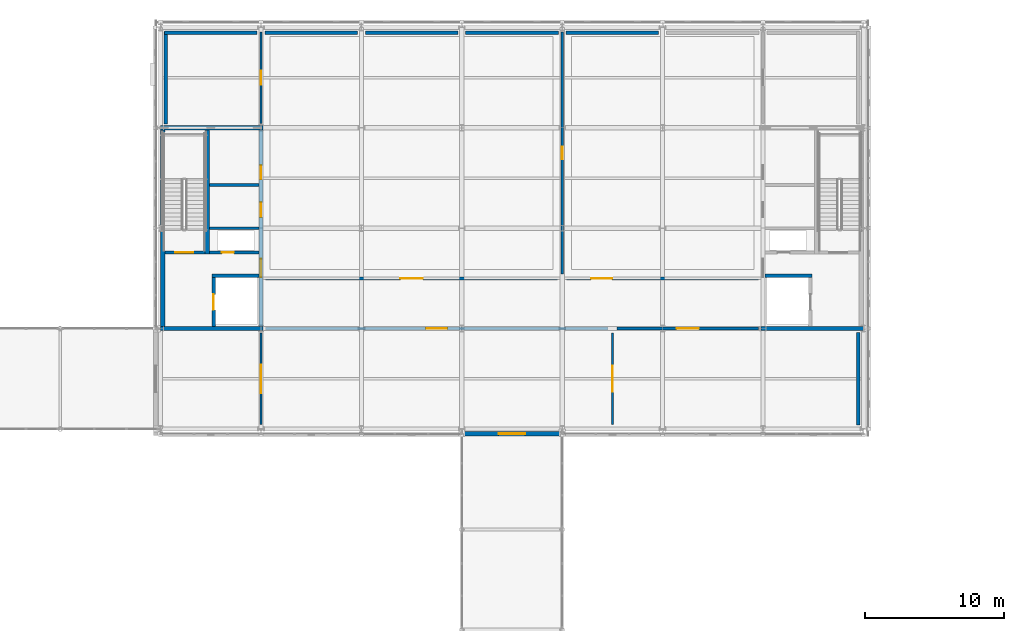
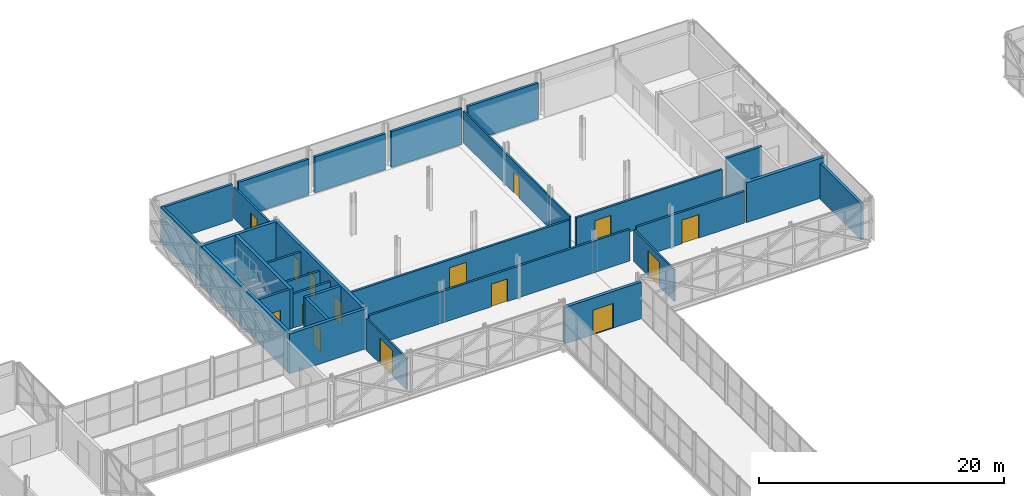
# One storey, part 123 of 146: 29 walls, 15 doors, 15 openings.
"""IFC4 building model written with IfcOpenShell, lengths in metres."""

from ifc_helpers import new_model, si_unit, direction, frame, frame_2d, origin, place, context, subcontext, project, spatial, rectangle, extrude, material, layer, layer_set, type_object, element, fill, save


model = new_model("IFC4")

# Units and contexts
model_context = context("Model", 3, precision=1e-05, world=origin(), true_north=direction((0.0, 1.0)))
body_context = subcontext(model_context, "Body", "Model", "MODEL_VIEW")
ifc_project = project(units=[si_unit("LENGTHUNIT", "METRE"), si_unit("AREAUNIT", "SQUARE_METRE"), si_unit("VOLUMEUNIT", "CUBIC_METRE"), si_unit("PLANEANGLEUNIT", "RADIAN"), si_unit("MASSUNIT", "GRAM", prefix="KILO")], contexts=[model_context])

# Site, building, storey
site_placement = place(None, origin())
site = spatial("IfcSite", under=ifc_project, at=site_placement, CompositionType="ELEMENT")
building_placement = place(site_placement, origin())
building = spatial("IfcBuilding", under=site, at=building_placement, Name="Zlatovets Crest Museum", CompositionType="ELEMENT")
storey_placement = place(building_placement, frame((0.0, 0.0, 4.5)))
storey = spatial("IfcBuildingStorey", under=building, at=storey_placement, Name="L01", CompositionType="ELEMENT", Elevation=4.5)

# Walls
ifc_material_1 = material(Name="Concrete C35/45", Category="concrete")
ifc_layer_1 = layer(ifc_material_1, 0.300048828125)
ifc_layer_set_1 = layer_set([ifc_layer_1], Name="Concrete C35/45")
wall_type_1 = type_object("IfcWallType", Name="CoreWall_SW01", PredefinedType="SHEAR", material=ifc_layer_set_1)
for number, where, z_axis, x_axis, name in (
    (1, (57.60009765625, 93.60009765625, 0.0), (0.0, 0.0, 1.0), (1.0, 0.0, 0.0), "Core C1 L01 South Shear Wall"),
    (2, (57.60009765625, 108.0, 0.0), (0.0, 0.0, 1.0), (1.0, 0.0, 0.0), "Core C1 L01 North Shear Wall"),
):
    element("IfcWall", number, at=place(storey_placement, frame(where, z_axis=z_axis, x_axis=x_axis)), inside=storey, type_object=wall_type_1, Name=name, PredefinedType="SHEAR", context=body_context, shape_type="SweptSolid", body=[
        extrude(rectangle(XDim=7.349853515625, YDim=0.300048828125, at=frame_2d((3.6748046875, 0.0))), origin(), (0.0, 0.0, 1.0), 3.97998046875),
    ])
wall_1_placement = place(storey_placement, frame((57.75, 93.75, 0.0), z_axis=(0.0, 0.0, 1.0), x_axis=(0.0, 1.0, 0.0)))
element("IfcWall", 3, at=wall_1_placement, inside=storey, type_object=wall_type_1, Name="Core C1 L01 Perimeter Shear Wall", PredefinedType="SHEAR", context=body_context, shape_type="SweptSolid", body=[
    extrude(rectangle(XDim=14.10009765625, YDim=0.300048828125, at=frame_2d((7.050048828125, 0.0))), origin(), (0.0, 0.0, 1.0), 3.97998046875),
])

# Wall, openings, doors
wall_2_placement = place(storey_placement, frame((64.800048828125, 93.75, 0.0), z_axis=(0.0, 0.0, 1.0), x_axis=(0.0, 1.0, 0.0)))
wall_2 = element("IfcWall", 4, at=wall_2_placement, inside=storey, type_object=wall_type_1, Name="Core C1 L01 Spine Shear Wall", PredefinedType="SHEAR", context=body_context, shape_type="SweptSolid", body=[
    extrude(rectangle(XDim=14.10009765625, YDim=0.300048828125, at=frame_2d((7.050048828125, 0.0))), origin(), (0.0, 0.0, 1.0), 3.97998046875),
])
opening_1_placement = place(wall_2_placement, frame((3.550048828125, 0.0, 0.0)))
opening_1 = element("IfcOpeningElement", 5, at=opening_1_placement, cuts=wall_2, Name="Opening FD-01", PredefinedType="OPENING", context=body_context, shape_type="SweptSolid", body=[
    extrude(rectangle(XDim=1.300048828125, YDim=2.199951171875, at=frame_2d((0.64990234375, 1.10009765625))), frame((0.0, 0.16015625, 0.0), z_axis=(0.0, -1.0, 0.0), x_axis=(1.0, 0.0, 0.0)), (0.0, 0.0, 1.0), 0.320068359375),
])
opening_2_placement = place(wall_2_placement, frame((7.85009765625, 0.0, 0.0)))
opening_2 = element("IfcOpeningElement", 6, at=opening_2_placement, cuts=wall_2, Name="Opening ID-02", PredefinedType="OPENING", context=body_context, shape_type="SweptSolid", body=[
    extrude(rectangle(XDim=1.050048828125, YDim=2.14990234375, at=frame_2d((0.52490234375, 1.074951171875))), frame((0.0, 0.16015625, 0.0), z_axis=(0.0, -1.0, 0.0), x_axis=(1.0, 0.0, 0.0)), (0.0, 0.0, 1.0), 0.320068359375),
])
opening_3_placement = place(wall_2_placement, frame((10.550048828125, 0.0, 0.0)))
opening_3 = element("IfcOpeningElement", 7, at=opening_3_placement, cuts=wall_2, Name="Opening ID-01", PredefinedType="OPENING", context=body_context, shape_type="SweptSolid", body=[
    extrude(rectangle(XDim=1.0, YDim=2.14990234375, at=frame_2d((0.5, 1.074951171875))), frame((0.0, 0.16015625, 0.0), z_axis=(0.0, -1.0, 0.0), x_axis=(1.0, 0.0, 0.0)), (0.0, 0.0, 1.0), 0.320068359375),
])
ifc_material_2 = material(Name="Smoke-sealed steel fire door", Category="steel")
door_type_1 = type_object("IfcDoorType", Name="IntDoor_FD-01", OperationType="NOTDEFINED", PredefinedType="DOOR", material=ifc_material_2)
door_1_placement = place(opening_1_placement, origin())
door_1 = element("IfcDoor", 8, at=door_1_placement, inside=storey, type_object=door_type_1, Name="CDOOR-C1-L01-LOB Core C1 L01 Lobby Fire Door", OperationType="SINGLE_SWING_LEFT", OverallHeight=2.199951171875, OverallWidth=1.300048828125, PredefinedType="DOOR", context=body_context, shape_type="SweptSolid", body=[
    extrude(rectangle(XDim=1.300048828125, YDim=2.199951171875, at=frame_2d((0.64990234375, 1.10009765625))), frame((0.0, 0.02490234375, 0.0), z_axis=(0.0, -1.0, 0.0), x_axis=(1.0, 0.0, 0.0)), (0.0, 0.0, 1.0), 0.050048828125),
])
fill(opening_1, door_1)
ifc_material_3 = material(Name="Solid oak museum room door")
door_type_2 = type_object("IfcDoorType", Name="IntDoor_ID-01", OperationType="NOTDEFINED", PredefinedType="DOOR", material=ifc_material_3)
door_2_placement = place(opening_3_placement, origin())
door_2 = element("IfcDoor", 9, at=door_2_placement, inside=storey, type_object=door_type_2, Name="CDOOR-C1-L01-WC Core C1 L01 Public Restroom Door", OperationType="SINGLE_SWING_RIGHT", OverallHeight=2.14990234375, OverallWidth=1.0, PredefinedType="DOOR", context=body_context, shape_type="SweptSolid", body=[
    extrude(rectangle(XDim=1.0, YDim=2.14990234375, at=frame_2d((0.5, 1.074951171875))), frame((0.0, 0.02490234375, 0.0), z_axis=(0.0, -1.0, 0.0), x_axis=(1.0, 0.0, 0.0)), (0.0, 0.0, 1.0), 0.050048828125),
])
fill(opening_3, door_2)
ifc_material_4 = material(Name="Accessible sanitary room door")
door_type_3 = type_object("IfcDoorType", Name="IntDoor_ID-02", OperationType="NOTDEFINED", PredefinedType="DOOR", material=ifc_material_4)
door_3_placement = place(opening_2_placement, origin())
door_3 = element("IfcDoor", 10, at=door_3_placement, inside=storey, type_object=door_type_3, Name="CDOOR-C1-L01-AWC Core C1 L01 Accessible WC Door", OperationType="SINGLE_SWING_LEFT", OverallHeight=2.14990234375, OverallWidth=1.050048828125, PredefinedType="DOOR", context=body_context, shape_type="SweptSolid", body=[
    extrude(rectangle(XDim=1.050048828125, YDim=2.14990234375, at=frame_2d((0.52490234375, 1.074951171875))), frame((0.0, 0.02490234375, 0.0), z_axis=(0.0, -1.0, 0.0), x_axis=(1.0, 0.0, 0.0)), (0.0, 0.0, 1.0), 0.050048828125),
])
fill(opening_2, door_3)

# Walls
wall_3_placement = place(storey_placement, frame((60.949951171875, 98.93994140625, 0.0), z_axis=(0.0, 0.0, 1.0), x_axis=(0.0, 1.0, 0.0)))
element("IfcWall", 11, at=wall_3_placement, inside=storey, type_object=wall_type_1, Name="Core C1 L01 Stair Divider Wall", PredefinedType="SHEAR", context=body_context, shape_type="SweptSolid", body=[
    extrude(rectangle(XDim=8.91015625, YDim=0.300048828125, at=frame_2d((4.455078125, 0.0))), origin(), (0.0, 0.0, 1.0), 3.97998046875),
])
wall_4_placement = place(storey_placement, frame((100.64990234375, 93.60009765625, 0.0), z_axis=(0.0, 0.0, 1.0), x_axis=(1.0, 0.0, 0.0)))
element("IfcWall", 12, at=wall_4_placement, inside=storey, type_object=wall_type_1, Name="Core C6 L01 South Shear Wall", PredefinedType="SHEAR", context=body_context, shape_type="SweptSolid", body=[
    extrude(rectangle(XDim=7.35009765625, YDim=0.300048828125, at=frame_2d((3.675048828125, 0.0))), origin(), (0.0, 0.0, 1.0), 3.97998046875),
])

# Wall, opening, door
ifc_layer_2 = layer(ifc_material_1, 0.25)
ifc_layer_set_2 = layer_set([ifc_layer_2], Name="Concrete C35/45")
wall_type_2 = type_object("IfcWallType", Name="CoreWall_SW02", PredefinedType="SHEAR", material=ifc_layer_set_2)
wall_5_placement = place(storey_placement, frame((61.39990234375, 93.75, 0.0), z_axis=(0.0, 0.0, 1.0), x_axis=(0.0, 1.0, 0.0)))
wall_5 = element("IfcWall", 13, at=wall_5_placement, inside=storey, type_object=wall_type_2, Name="Core C1 L01 Lift Shaft Wall", PredefinedType="SHEAR", context=body_context, shape_type="SweptSolid", body=[
    extrude(rectangle(XDim=3.52490234375, YDim=0.25, at=frame_2d((1.762451171875, 0.0))), origin(), (0.0, 0.0, 1.0), 3.97998046875),
])
opening_4_placement = place(wall_5_placement, frame((1.199951171875, 0.0, 0.0)))
opening_4 = element("IfcOpeningElement", 14, at=opening_4_placement, cuts=wall_5, Name="Opening LD-01", PredefinedType="OPENING", context=body_context, shape_type="SweptSolid", body=[
    extrude(rectangle(XDim=1.10009765625, YDim=2.14990234375, at=frame_2d((0.550048828125, 1.074951171875))), frame((0.0, 0.135009765625, 0.0), z_axis=(0.0, -1.0, 0.0), x_axis=(1.0, 0.0, 0.0)), (0.0, 0.0, 1.0), 0.27001953125),
])
ifc_material_5 = material(Name="Stainless-bronze sliding lift landing door")
door_type_4 = type_object("IfcDoorType", Name="IntDoor_LD-01", OperationType="SLIDING_TO_LEFT", PredefinedType="DOOR", material=ifc_material_5)
door_4_placement = place(opening_4_placement, origin())
door_4 = element("IfcDoor", 15, at=door_4_placement, inside=storey, type_object=door_type_4, Name="LDOOR-FL1-L01 Lift FL1 L01 Sliding Landing Door", OperationType="SLIDING_TO_LEFT", OverallHeight=2.14990234375, OverallWidth=1.10009765625, PredefinedType="DOOR", context=body_context, shape_type="SweptSolid", body=[
    extrude(rectangle(XDim=1.10009765625, YDim=2.14990234375, at=frame_2d((0.550048828125, 1.074951171875))), frame((0.0, 0.02490234375, 0.0), z_axis=(0.0, -1.0, 0.0), x_axis=(1.0, 0.0, 0.0)), (0.0, 0.0, 1.0), 0.050048828125),
])
fill(opening_4, door_4)

wall_6_placement = place(storey_placement, frame((57.89990234375, 99.050048828125, 0.0), z_axis=(0.0, 0.0, 1.0), x_axis=(1.0, 0.0, 0.0)))
wall_6 = element("IfcWall", 16, at=wall_6_placement, inside=storey, type_object=wall_type_2, Name="Core C1 L01 Stairwell Fire Wall", PredefinedType="SHEAR", context=body_context, shape_type="SweptSolid", body=[
    extrude(rectangle(XDim=2.900146484375, YDim=0.219970703125, at=frame_2d((1.4501953125, 0.0))), origin(), (0.0, 0.0, 1.0), 3.97998046875),
])
opening_5_placement = place(wall_6_placement, frame((0.75, 0.0, 0.0)))
opening_5 = element("IfcOpeningElement", 17, at=opening_5_placement, cuts=wall_6, Name="Opening FD-01", PredefinedType="OPENING", context=body_context, shape_type="SweptSolid", body=[
    extrude(rectangle(XDim=1.300048828125, YDim=2.199951171875, at=frame_2d((0.64990234375, 1.10009765625))), frame((0.0, 0.1201171875, 0.0), z_axis=(0.0, -1.0, 0.0), x_axis=(1.0, 0.0, 0.0)), (0.0, 0.0, 1.0), 0.239990234375),
])
door_5_placement = place(opening_5_placement, origin())
door_5 = element("IfcDoor", 18, at=door_5_placement, inside=storey, type_object=door_type_1, Name="SDOOR-ST1-L01 Stair ST1 L01 Fire Door", OperationType="SINGLE_SWING_LEFT", OverallHeight=2.199951171875, OverallWidth=1.300048828125, PredefinedType="DOOR", context=body_context, shape_type="SweptSolid", body=[
    extrude(rectangle(XDim=1.300048828125, YDim=2.199951171875, at=frame_2d((0.64990234375, 1.10009765625))), frame((0.0, 0.02490234375, 0.0), z_axis=(0.0, -1.0, 0.0), x_axis=(1.0, 0.0, 0.0)), (0.0, 0.0, 1.0), 0.050048828125),
])
fill(opening_5, door_5)

# Walls
for number, where, z_axis, x_axis, name in (
    (19, (61.27490234375, 97.39990234375, 0.0), (0.0, 0.0, 1.0), (1.0, 0.0, 0.0), "Core C1 L01 Lift Shaft North Shear Wall"),
    (20, (100.949951171875, 97.39990234375, 0.0), (0.0, 0.0, 1.0), (1.0, 0.0, 0.0), "Core C6 L01 Lift Shaft North Shear Wall"),
):
    element("IfcWall", number, at=place(storey_placement, frame(where, z_axis=z_axis, x_axis=x_axis)), inside=storey, type_object=wall_type_2, Name=name, PredefinedType="SHEAR", context=body_context, shape_type="SweptSolid", body=[
        extrude(rectangle(XDim=3.375, YDim=0.25, at=frame_2d((1.6875, 0.0))), origin(), (0.0, 0.0, 1.0), 3.97998046875),
    ])

# Wall, opening, door
ifc_material_6 = material(Name="Insulated gallery conservation liner wall", Category="concrete")
ifc_layer_3 = layer(ifc_material_6, 0.300048828125)
ifc_layer_set_3 = layer_set([ifc_layer_3], Name="Insulated gallery conservation liner wall")
wall_type_3 = type_object("IfcWallType", Name="ExtWall_EW-02", PredefinedType="STANDARD", material=ifc_layer_set_3)
wall_7_placement = place(storey_placement, frame((79.199951171875, 86.06005859375, 0.0), z_axis=(0.0, 0.0, 1.0), x_axis=(1.0, 0.0, 0.0)))
wall_7 = element("IfcWall", 21, at=wall_7_placement, inside=storey, type_object=wall_type_3, Name="V1 L01 Bridge Portal Wall", PredefinedType="STANDARD", context=body_context, shape_type="SweptSolid", body=[
    extrude(rectangle(XDim=7.199951171875, YDim=0.300048828125, at=frame_2d((3.60009765625, 0.0))), origin(), (0.0, 0.0, 1.0), 3.64990234375),
])
opening_6_placement = place(wall_7_placement, frame((2.64990234375, 0.0, 0.0)))
opening_6 = element("IfcOpeningElement", 22, at=opening_6_placement, cuts=wall_7, Name="Opening ED-02", PredefinedType="OPENING", context=body_context, shape_type="SweptSolid", body=[
    extrude(rectangle(XDim=1.89990234375, YDim=2.449951171875, at=frame_2d((0.949951171875, 1.22509765625))), frame((0.0, 0.16015625, 0.0), z_axis=(0.0, -1.0, 0.0), x_axis=(1.0, 0.0, 0.0)), (0.0, 0.0, 1.0), 0.320068359375),
])
ifc_material_7 = material(Name="Bronze-clad insulated steel door", Category="steel")
door_type_5 = type_object("IfcDoorType", Name="ExtDoor_ED-02", OperationType="NOTDEFINED", PredefinedType="DOOR", material=ifc_material_7)
door_6_placement = place(opening_6_placement, origin())
door_6 = element("IfcDoor", 23, at=door_6_placement, inside=storey, type_object=door_type_5, Name="ED-V1-L01-BR006 V1 L01 Bridge Link Portal Door", OperationType="DOUBLE_DOOR_SINGLE_SWING", OverallHeight=2.449951171875, OverallWidth=1.89990234375, PredefinedType="DOOR", context=body_context, shape_type="SweptSolid", body=[
    extrude(rectangle(XDim=1.89990234375, YDim=2.449951171875, at=frame_2d((0.949951171875, 1.22509765625))), frame((0.0, 0.02490234375, 0.0), z_axis=(0.0, -1.0, 0.0), x_axis=(1.0, 0.0, 0.0)), (0.0, 0.0, 1.0), 0.050048828125),
])
fill(opening_6, door_6)

# Walls
for number, where, z_axis, x_axis, name in (
    (24, (107.6201171875, 86.679931640625, 0.0), (0.0, 0.0, 1.0), (0.0, 1.0, 0.0), "V1 L01 Interior Conservation Gallery Liner Wall"),
    (25, (93.320068359375, 114.820068359375, 0.0), (0.0, 0.0, 1.0), (-1.0, 0.0, 0.0), "V1 L01 Interior Conservation Gallery Liner Wall"),
    (26, (86.1201171875, 114.820068359375, 0.0), (0.0, 0.0, 1.0), (-1.0, 0.0, 0.0), "V1 L01 Interior Conservation Gallery Liner Wall"),
):
    element("IfcWall", number, at=place(storey_placement, frame(where, z_axis=z_axis, x_axis=x_axis)), inside=storey, type_object=wall_type_3, Name=name, PredefinedType="STANDARD", context=body_context, shape_type="SweptSolid", body=[
        extrude(rectangle(XDim=6.64013671875, YDim=0.239990234375, at=frame_2d((3.320068359375, 0.0))), origin(), (0.0, 0.0, 1.0), 3.580078125),
    ])
for number, where, z_axis, x_axis, name in (
    (27, (78.919921875, 114.820068359375, 0.0), (0.0, 0.0, 1.0), (-1.0, 0.0, 0.0), "V1 L01 Interior Conservation Gallery Liner Wall"),
    (28, (71.719970703125, 114.820068359375, 0.0), (0.0, 0.0, 1.0), (-1.0, 0.0, 0.0), "V1 L01 Interior Conservation Gallery Liner Wall"),
):
    element("IfcWall", number, at=place(storey_placement, frame(where, z_axis=z_axis, x_axis=x_axis)), inside=storey, type_object=wall_type_3, Name=name, PredefinedType="STANDARD", context=body_context, shape_type="SweptSolid", body=[
        extrude(rectangle(XDim=6.639892578125, YDim=0.239990234375, at=frame_2d((3.31982421875, 0.0))), origin(), (0.0, 0.0, 1.0), 3.580078125),
    ])
wall_8_placement = place(storey_placement, frame((64.52001953125, 114.820068359375, 0.0), z_axis=(0.0, 0.0, 1.0), x_axis=(-1.0, 0.0, 0.0)))
element("IfcWall", 29, at=wall_8_placement, inside=storey, type_object=wall_type_3, Name="V1 L01 Interior Conservation Gallery Liner Wall", PredefinedType="STANDARD", context=body_context, shape_type="SweptSolid", body=[
    extrude(rectangle(XDim=6.64013671875, YDim=0.239990234375, at=frame_2d((3.320068359375, 0.0))), origin(), (0.0, 0.0, 1.0), 3.580078125),
])
wall_9_placement = place(storey_placement, frame((57.97998046875, 114.919921875, 0.0), z_axis=(0.0, 0.0, 1.0), x_axis=(0.0, -1.0, 0.0)))
element("IfcWall", 30, at=wall_9_placement, inside=storey, type_object=wall_type_3, Name="V1 L01 Interior Conservation Gallery Liner Wall", PredefinedType="STANDARD", context=body_context, shape_type="SweptSolid", body=[
    extrude(rectangle(XDim=6.639892578125, YDim=0.239990234375, at=frame_2d((3.31982421875, 0.0))), origin(), (0.0, 0.0, 1.0), 3.580078125),
])

# Wall, opening, door
ifc_material_8 = material(Name="Gypsum-encased fire compartment partition")
ifc_layer_4 = layer(ifc_material_8, 0.199951171875)
ifc_layer_set_4 = layer_set([ifc_layer_4], Name="Gypsum-encased fire compartment partition")
wall_type_4 = type_object("IfcWallType", Name="PartWall_PT-01", PredefinedType="PARTITIONING", material=ifc_layer_set_4)
wall_10_placement = place(storey_placement, frame((65.1201171875, 93.60009765625, 0.0), z_axis=(0.0, 0.0, 1.0), x_axis=(1.0, 0.0, 0.0)))
wall_10 = element("IfcWall", 31, at=wall_10_placement, inside=storey, type_object=wall_type_4, Name="V1 L01 Interior Partition PT-01", PredefinedType="PARTITIONING", context=body_context, shape_type="SweptSolid", body=[
    extrude(rectangle(XDim=24.559814453125, YDim=0.199951171875, at=frame_2d((12.27978515625, 0.0))), origin(), (0.0, 0.0, 1.0), 3.14990234375),
])
opening_7_placement = place(wall_10_placement, frame((11.530029296875, 0.0, 0.0)))
opening_7 = element("IfcOpeningElement", 32, at=opening_7_placement, cuts=wall_10, Name="Opening FD-02", PredefinedType="OPENING", context=body_context, shape_type="SweptSolid", body=[
    extrude(rectangle(XDim=1.5, YDim=2.25, at=frame_2d((0.75, 1.125))), frame((0.0, 0.10986328125, 0.0), z_axis=(0.0, -1.0, 0.0), x_axis=(1.0, 0.0, 0.0)), (0.0, 0.0, 1.0), 0.219970703125),
])
ifc_material_9 = material(Name="Double corridor compartment fire door")
door_type_6 = type_object("IfcDoorType", Name="IntDoor_FD-02", OperationType="DOUBLE_DOOR_SINGLE_SWING", PredefinedType="DOOR", material=ifc_material_9)
door_7_placement = place(opening_7_placement, origin())
door_7 = element("IfcDoor", 33, at=door_7_placement, inside=storey, type_object=door_type_6, Name="IDOOR-V1-L01-0096 First Floor Promenade Corridor to Paleontology and Amber Gallery Door", OperationType="DOUBLE_DOOR_SINGLE_SWING", OverallHeight=2.25, OverallWidth=1.5, PredefinedType="DOOR", context=body_context, shape_type="SweptSolid", body=[
    extrude(rectangle(XDim=1.5, YDim=2.25, at=frame_2d((0.75, 1.125))), frame((0.0, 0.02490234375, 0.0), z_axis=(0.0, -1.0, 0.0), x_axis=(1.0, 0.0, 0.0)), (0.0, 0.0, 1.0), 0.050048828125),
])
fill(opening_7, door_7)

wall_11_placement = place(storey_placement, frame((90.320068359375, 93.60009765625, 0.0), z_axis=(0.0, 0.0, 1.0), x_axis=(1.0, 0.0, 0.0)))
wall_11 = element("IfcWall", 34, at=wall_11_placement, inside=storey, type_object=wall_type_4, Name="V1 L01 Interior Partition PT-01", PredefinedType="PARTITIONING", context=body_context, shape_type="SweptSolid", body=[
    extrude(rectangle(XDim=10.159912109375, YDim=0.199951171875, at=frame_2d((5.080078125, 0.0))), origin(), (0.0, 0.0, 1.0), 3.14990234375),
])
opening_8_placement = place(wall_11_placement, frame((4.280029296875, 0.0, 0.0)))
opening_8 = element("IfcOpeningElement", 35, at=opening_8_placement, cuts=wall_11, Name="Opening ID-04", PredefinedType="OPENING", context=body_context, shape_type="SweptSolid", body=[
    extrude(rectangle(XDim=1.60009765625, YDim=2.35009765625, at=frame_2d((0.800048828125, 1.175048828125))), frame((0.0, 0.10986328125, 0.0), z_axis=(0.0, -1.0, 0.0), x_axis=(1.0, 0.0, 0.0)), (0.0, 0.0, 1.0), 0.219970703125),
])
ifc_material_10 = material(Name="Gallery salon double portal door")
door_type_7 = type_object("IfcDoorType", Name="IntDoor_ID-04", OperationType="DOUBLE_DOOR_SINGLE_SWING", PredefinedType="DOOR", material=ifc_material_10)
door_8_placement = place(opening_8_placement, origin())
door_8 = element("IfcDoor", 36, at=door_8_placement, inside=storey, type_object=door_type_7, Name="IDOOR-V1-L01-0097 First Floor Promenade Corridor to Botanical Illustration Cabinet Door", OperationType="DOUBLE_DOOR_SINGLE_SWING", OverallHeight=2.35009765625, OverallWidth=1.60009765625, PredefinedType="DOOR", context=body_context, shape_type="SweptSolid", body=[
    extrude(rectangle(XDim=1.60009765625, YDim=2.35009765625, at=frame_2d((0.800048828125, 1.175048828125))), frame((0.0, 0.02490234375, 0.0), z_axis=(0.0, -1.0, 0.0), x_axis=(1.0, 0.0, 0.0)), (0.0, 0.0, 1.0), 0.050048828125),
])
fill(opening_8, door_8)

wall_12_placement = place(storey_placement, frame((65.1201171875, 97.199951171875, 0.0), z_axis=(0.0, 0.0, 1.0), x_axis=(1.0, 0.0, 0.0)))
wall_12 = element("IfcWall", 37, at=wall_12_placement, inside=storey, type_object=wall_type_4, Name="V1 L01 Interior Partition PT-01", PredefinedType="PARTITIONING", context=body_context, shape_type="SweptSolid", body=[
    extrude(rectangle(XDim=20.9599609375, YDim=0.199951171875, at=frame_2d((10.47998046875, 0.0))), origin(), (0.0, 0.0, 1.0), 3.14990234375),
])
opening_9_placement = place(wall_12_placement, frame((9.679931640625, 0.0, 0.0)))
opening_9 = element("IfcOpeningElement", 38, at=opening_9_placement, cuts=wall_12, Name="Opening ID-04", PredefinedType="OPENING", context=body_context, shape_type="SweptSolid", body=[
    extrude(rectangle(XDim=1.60009765625, YDim=2.35009765625, at=frame_2d((0.800048828125, 1.175048828125))), frame((0.0, 0.10986328125, 0.0), z_axis=(0.0, -1.0, 0.0), x_axis=(1.0, 0.0, 0.0)), (0.0, 0.0, 1.0), 0.219970703125),
])
door_9_placement = place(opening_9_placement, origin())
door_9 = element("IfcDoor", 39, at=door_9_placement, inside=storey, type_object=door_type_7, Name="IDOOR-V1-L01-0098 First Floor Promenade Corridor to Early Bulgarian Revival Painting Gallery Door", OperationType="DOUBLE_DOOR_SINGLE_SWING", OverallHeight=2.35009765625, OverallWidth=1.60009765625, PredefinedType="DOOR", context=body_context, shape_type="SweptSolid", body=[
    extrude(rectangle(XDim=1.60009765625, YDim=2.35009765625, at=frame_2d((0.800048828125, 1.175048828125))), frame((0.0, 0.02490234375, 0.0), z_axis=(0.0, -1.0, 0.0), x_axis=(1.0, 0.0, 0.0)), (0.0, 0.0, 1.0), 0.050048828125),
])
fill(opening_9, door_9)

wall_13_placement = place(storey_placement, frame((86.719970703125, 97.199951171875, 0.0), z_axis=(0.0, 0.0, 1.0), x_axis=(1.0, 0.0, 0.0)))
wall_13 = element("IfcWall", 40, at=wall_13_placement, inside=storey, type_object=wall_type_4, Name="V1 L01 Interior Partition PT-01", PredefinedType="PARTITIONING", context=body_context, shape_type="SweptSolid", body=[
    extrude(rectangle(XDim=13.760009765625, YDim=0.199951171875, at=frame_2d((6.8798828125, 0.0))), origin(), (0.0, 0.0, 1.0), 3.14990234375),
])
opening_10_placement = place(wall_13_placement, frame((1.751708984375, 0.0, 0.0)))
opening_10 = element("IfcOpeningElement", 41, at=opening_10_placement, cuts=wall_13, Name="Opening FD-02", PredefinedType="OPENING", context=body_context, shape_type="SweptSolid", body=[
    extrude(rectangle(XDim=1.5, YDim=2.25, at=frame_2d((0.75, 1.125))), frame((0.0, 0.10986328125, 0.0), z_axis=(0.0, -1.0, 0.0), x_axis=(1.0, 0.0, 0.0)), (0.0, 0.0, 1.0), 0.219970703125),
])
door_10_placement = place(opening_10_placement, origin())
door_10 = element("IfcDoor", 42, at=door_10_placement, inside=storey, type_object=door_type_6, Name="IDOOR-V1-L01-0099 First Floor Promenade Corridor to Secession Applied Arts Salon Door", OperationType="DOUBLE_DOOR_SINGLE_SWING", OverallHeight=2.25, OverallWidth=1.5, PredefinedType="DOOR", context=body_context, shape_type="SweptSolid", body=[
    extrude(rectangle(XDim=1.5, YDim=2.25, at=frame_2d((0.75, 1.125))), frame((0.0, 0.02490234375, 0.0), z_axis=(0.0, -1.0, 0.0), x_axis=(1.0, 0.0, 0.0)), (0.0, 0.0, 1.0), 0.050048828125),
])
fill(opening_10, door_10)

ifc_material_11 = material(Name="Acoustic museum gallery stud partition")
ifc_layer_5 = layer(ifc_material_11, 0.159912109375)
ifc_layer_set_5 = layer_set([ifc_layer_5], Name="Acoustic museum gallery stud partition")
wall_type_5 = type_object("IfcWallType", Name="PartWall_PT-02", PredefinedType="PARTITIONING", material=ifc_layer_set_5)
wall_14_placement = place(storey_placement, frame((90.0, 86.719970703125, 0.0), z_axis=(0.0, 0.0, 1.0), x_axis=(0.0, 1.0, 0.0)))
wall_14 = element("IfcWall", 43, at=wall_14_placement, inside=storey, type_object=wall_type_5, Name="V1 L01 Interior Partition PT-02", PredefinedType="PARTITIONING", context=body_context, shape_type="SweptSolid", body=[
    extrude(rectangle(XDim=6.56005859375, YDim=0.159912109375, at=frame_2d((3.280029296875, 0.0))), origin(), (0.0, 0.0, 1.0), 3.14990234375),
])
opening_11_placement = place(wall_14_placement, frame((2.35498046875, 0.0, 0.0)))
opening_11 = element("IfcOpeningElement", 44, at=opening_11_placement, cuts=wall_14, Name="Opening ID-15", PredefinedType="OPENING", context=body_context, shape_type="SweptSolid", body=[
    extrude(rectangle(XDim=1.85009765625, YDim=2.5, at=frame_2d((0.925048828125, 1.25))), frame((0.0, 0.08984375, 0.0), z_axis=(0.0, -1.0, 0.0), x_axis=(1.0, 0.0, 0.0)), (0.0, 0.0, 1.0), 0.179931640625),
])
ifc_material_12 = material(Name="Painting gallery enfilade portal")
door_type_8 = type_object("IfcDoorType", Name="IntDoor_ID-15", OperationType="DOUBLE_DOOR_SINGLE_SWING", PredefinedType="DOOR", material=ifc_material_12)
door_11_placement = place(opening_11_placement, origin())
door_11 = element("IfcDoor", 45, at=door_11_placement, inside=storey, type_object=door_type_8, Name="IDOOR-V1-L01-0100 Paleontology and Amber Gallery to Botanical Illustration Cabinet Door", OperationType="DOUBLE_DOOR_SINGLE_SWING", OverallHeight=2.5, OverallWidth=1.85009765625, PredefinedType="DOOR", context=body_context, shape_type="SweptSolid", body=[
    extrude(rectangle(XDim=1.85009765625, YDim=2.5, at=frame_2d((0.925048828125, 1.25))), frame((0.0, 0.02490234375, 0.0), z_axis=(0.0, -1.0, 0.0), x_axis=(1.0, 0.0, 0.0)), (0.0, 0.0, 1.0), 0.050048828125),
])
fill(opening_11, door_11)

wall_15_placement = place(storey_placement, frame((64.800048828125, 86.719970703125, 0.0), z_axis=(0.0, 0.0, 1.0), x_axis=(0.0, 1.0, 0.0)))
wall_15 = element("IfcWall", 46, at=wall_15_placement, inside=storey, type_object=wall_type_5, Name="V1 L01 Interior Partition PT-02", PredefinedType="PARTITIONING", context=body_context, shape_type="SweptSolid", body=[
    extrude(rectangle(XDim=6.56005859375, YDim=0.159912109375, at=frame_2d((3.280029296875, 0.0))), origin(), (0.0, 0.0, 1.0), 3.14990234375),
])
opening_12_placement = place(wall_15_placement, frame((2.2548828125, 0.0, 0.0)))
opening_12 = element("IfcOpeningElement", 47, at=opening_12_placement, cuts=wall_15, Name="Opening ID-16", PredefinedType="OPENING", context=body_context, shape_type="SweptSolid", body=[
    extrude(rectangle(XDim=2.050048828125, YDim=2.550048828125, at=frame_2d((1.02490234375, 1.27490234375))), frame((0.0, 0.08984375, 0.0), z_axis=(0.0, -1.0, 0.0), x_axis=(1.0, 0.0, 0.0)), (0.0, 0.0, 1.0), 0.179931640625),
])
ifc_material_13 = material(Name="Grand sculpture salon double portal")
door_type_9 = type_object("IfcDoorType", Name="IntDoor_ID-16", OperationType="DOUBLE_DOOR_SINGLE_SWING", PredefinedType="DOOR", material=ifc_material_13)
door_12_placement = place(opening_12_placement, origin())
door_12 = element("IfcDoor", 48, at=door_12_placement, inside=storey, type_object=door_type_9, Name="IDOOR-V1-L01-0101 Paleontology and Amber Gallery to Northwest Bridge Vestibule Door", OperationType="DOUBLE_DOOR_SINGLE_SWING", OverallHeight=2.550048828125, OverallWidth=2.050048828125, PredefinedType="DOOR", context=body_context, shape_type="SweptSolid", body=[
    extrude(rectangle(XDim=2.050048828125, YDim=2.550048828125, at=frame_2d((1.02490234375, 1.27490234375))), frame((0.0, 0.02490234375, 0.0), z_axis=(0.0, -1.0, 0.0), x_axis=(1.0, 0.0, 0.0)), (0.0, 0.0, 1.0), 0.050048828125),
])
fill(opening_12, door_12)

wall_16_placement = place(storey_placement, frame((86.39990234375, 97.52001953125, 0.0), z_axis=(0.0, 0.0, 1.0), x_axis=(0.0, 1.0, 0.0)))
wall_16 = element("IfcWall", 49, at=wall_16_placement, inside=storey, type_object=wall_type_5, Name="V1 L01 Interior Partition PT-02", PredefinedType="PARTITIONING", context=body_context, shape_type="SweptSolid", body=[
    extrude(rectangle(XDim=17.35986328125, YDim=0.159912109375, at=frame_2d((8.679931640625, 0.0))), origin(), (0.0, 0.0, 1.0), 3.14990234375),
])
opening_13_placement = place(wall_16_placement, frame((8.22998046875, 0.0, 0.0)))
opening_13 = element("IfcOpeningElement", 50, at=opening_13_placement, cuts=wall_16, Name="Opening ID-17", PredefinedType="OPENING", context=body_context, shape_type="SweptSolid", body=[
    extrude(rectangle(XDim=0.89990234375, YDim=2.10009765625, at=frame_2d((0.449951171875, 1.050048828125))), frame((0.0, 0.08984375, 0.0), z_axis=(0.0, -1.0, 0.0), x_axis=(1.0, 0.0, 0.0)), (0.0, 0.0, 1.0), 0.179931640625),
])
ifc_material_14 = material(Name="Plant technical access door")
door_type_10 = type_object("IfcDoorType", Name="IntDoor_ID-17", OperationType="NOTDEFINED", PredefinedType="DOOR", material=ifc_material_14)
door_13_placement = place(opening_13_placement, origin())
door_13 = element("IfcDoor", 51, at=door_13_placement, inside=storey, type_object=door_type_10, Name="IDOOR-V1-L01-0102 Early Bulgarian Revival Painting Gallery to Secession Applied Arts Salon Door", OperationType="SINGLE_SWING_LEFT", OverallHeight=2.10009765625, OverallWidth=0.89990234375, PredefinedType="DOOR", context=body_context, shape_type="SweptSolid", body=[
    extrude(rectangle(XDim=0.89990234375, YDim=2.10009765625, at=frame_2d((0.449951171875, 1.050048828125))), frame((0.0, 0.02490234375, 0.0), z_axis=(0.0, -1.0, 0.0), x_axis=(1.0, 0.0, 0.0)), (0.0, 0.0, 1.0), 0.050048828125),
])
fill(opening_13, door_13)

wall_17_placement = place(storey_placement, frame((64.800048828125, 108.320068359375, 0.0), z_axis=(0.0, 0.0, 1.0), x_axis=(0.0, 1.0, 0.0)))
wall_17 = element("IfcWall", 52, at=wall_17_placement, inside=storey, type_object=wall_type_5, Name="V1 L01 Interior Partition PT-02", PredefinedType="PARTITIONING", context=body_context, shape_type="SweptSolid", body=[
    extrude(rectangle(XDim=6.559814453125, YDim=0.159912109375, at=frame_2d((3.27978515625, 0.0))), origin(), (0.0, 0.0, 1.0), 3.14990234375),
])
opening_14_placement = place(wall_17_placement, frame((2.780029296875, 0.0, 0.0)))
opening_14 = element("IfcOpeningElement", 53, at=opening_14_placement, cuts=wall_17, Name="Opening ID-18", PredefinedType="OPENING", context=body_context, shape_type="SweptSolid", body=[
    extrude(rectangle(XDim=1.0, YDim=2.25, at=frame_2d((0.5, 1.125))), frame((0.0, 0.08984375, 0.0), z_axis=(0.0, -1.0, 0.0), x_axis=(1.0, 0.0, 0.0)), (0.0, 0.0, 1.0), 0.179931640625),
])
ifc_material_15 = material(Name="Registrar office tall oak door")
door_type_11 = type_object("IfcDoorType", Name="IntDoor_ID-18", OperationType="NOTDEFINED", PredefinedType="DOOR", material=ifc_material_15)
door_14_placement = place(opening_14_placement, origin())
door_14 = element("IfcDoor", 54, at=door_14_placement, inside=storey, type_object=door_type_11, Name="IDOOR-V1-L01-0103 Early Bulgarian Revival Painting Gallery to Curatorial Reference Study Door", OperationType="SINGLE_SWING_RIGHT", OverallHeight=2.25, OverallWidth=1.0, PredefinedType="DOOR", context=body_context, shape_type="SweptSolid", body=[
    extrude(rectangle(XDim=1.0, YDim=2.25, at=frame_2d((0.5, 1.125))), frame((0.0, 0.02490234375, 0.0), z_axis=(0.0, -1.0, 0.0), x_axis=(1.0, 0.0, 0.0)), (0.0, 0.0, 1.0), 0.050048828125),
])
fill(opening_14, door_14)

ifc_material_16 = material(Name="Sanitary core acoustic service wall")
ifc_layer_6 = layer(ifc_material_16, 0.219970703125)
ifc_layer_set_6 = layer_set([ifc_layer_6], Name="Sanitary core acoustic service wall")
wall_type_6 = type_object("IfcWallType", Name="PartWall_PT-04", PredefinedType="PLUMBINGWALL", material=ifc_layer_set_6)
wall_18_placement = place(storey_placement, frame((61.10009765625, 99.050048828125, 0.0), z_axis=(0.0, 0.0, 1.0), x_axis=(1.0, 0.0, 0.0)))
wall_18 = element("IfcWall", 55, at=wall_18_placement, inside=storey, type_object=wall_type_6, Name="Core C1 L01 Riser Lobby Wall", PredefinedType="PLUMBINGWALL", context=body_context, shape_type="SweptSolid", body=[
    extrude(rectangle(XDim=3.5498046875, YDim=0.199951171875, at=frame_2d((1.77490234375, 0.0))), origin(), (0.0, 0.0, 1.0), 3.39990234375),
])
opening_15_placement = place(wall_18_placement, frame((0.89990234375, 0.0, 0.0)))
opening_15 = element("IfcOpeningElement", 56, at=opening_15_placement, cuts=wall_18, Name="Opening FD-03", PredefinedType="OPENING", context=body_context, shape_type="SweptSolid", body=[
    extrude(rectangle(XDim=0.85009765625, YDim=2.050048828125, at=frame_2d((0.425048828125, 1.02490234375))), frame((0.0, 0.10986328125, 0.0), z_axis=(0.0, -1.0, 0.0), x_axis=(1.0, 0.0, 0.0)), (0.0, 0.0, 1.0), 0.219970703125),
])
ifc_material_17 = material(Name="Steel riser shaft access fire door", Category="steel")
door_type_12 = type_object("IfcDoorType", Name="IntDoor_FD-03", OperationType="NOTDEFINED", PredefinedType="TRAPDOOR", material=ifc_material_17)
door_15_placement = place(opening_15_placement, origin())
door_15 = element("IfcDoor", 57, at=door_15_placement, inside=storey, type_object=door_type_12, Name="CDOOR-C1-L01-RIS Core C1 L01 Riser Access Door", OperationType="SINGLE_SWING_RIGHT", OverallHeight=2.050048828125, OverallWidth=0.85009765625, PredefinedType="TRAPDOOR", context=body_context, shape_type="SweptSolid", body=[
    extrude(rectangle(XDim=0.85009765625, YDim=2.050048828125, at=frame_2d((0.425048828125, 1.02490234375))), frame((0.0, 0.02490234375, 0.0), z_axis=(0.0, -1.0, 0.0), x_axis=(1.0, 0.0, 0.0)), (0.0, 0.0, 1.0), 0.050048828125),
])
fill(opening_15, door_15)

# Walls
for number, where, z_axis, x_axis, name in (
    (58, (61.10009765625, 100.800048828125, 0.0), (0.0, 0.0, 1.0), (1.0, 0.0, 0.0), "Core C1 L01 Sanitary Divider"),
    (59, (61.10009765625, 103.89990234375, 0.0), (0.0, 0.0, 1.0), (1.0, 0.0, 0.0), "Core C1 L01 Sanitary Divider"),
):
    element("IfcWall", number, at=place(storey_placement, frame(where, z_axis=z_axis, x_axis=x_axis)), inside=storey, type_object=wall_type_6, Name=name, PredefinedType="PLUMBINGWALL", context=body_context, shape_type="SweptSolid", body=[
        extrude(rectangle(XDim=3.5498046875, YDim=0.199951171875, at=frame_2d((1.77490234375, 0.0))), origin(), (0.0, 0.0, 1.0), 3.39990234375),
    ])

save(model, "model.ifc")
